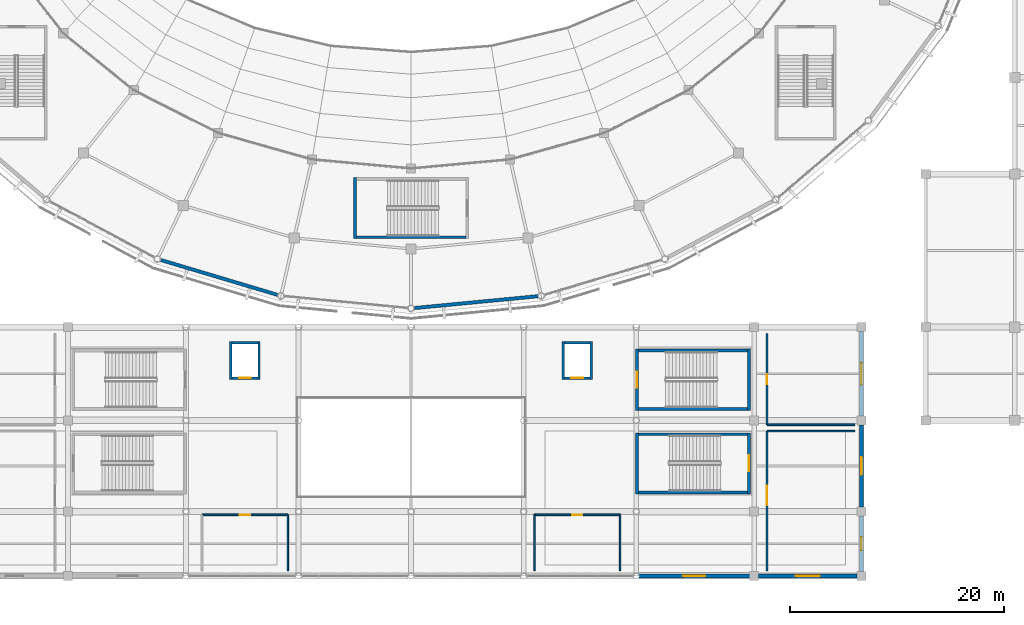
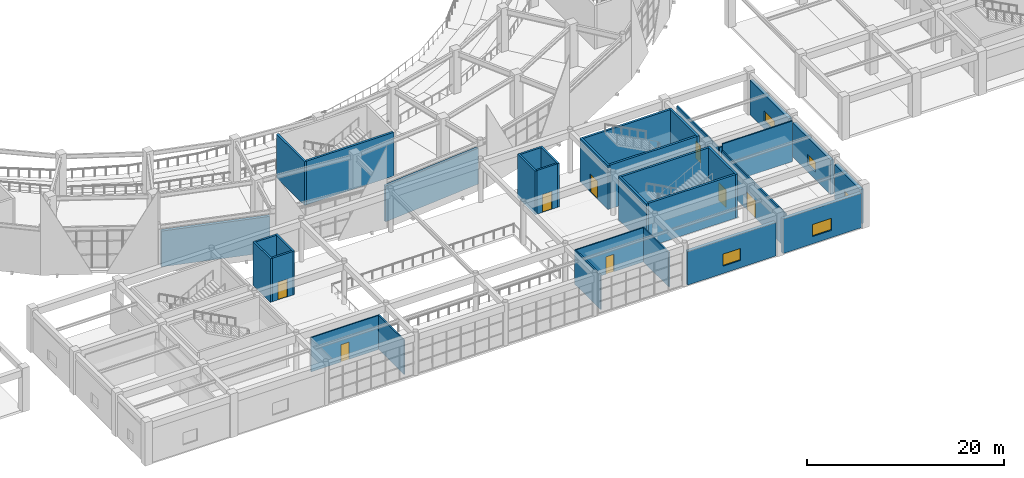
# One storey, part 75 of 120: 34 walls, 8 doors, 5 windows, 13 openings.
"""IFC4 building model written with IfcOpenShell, lengths in metres."""

from ifc_helpers import new_model, si_unit, direction, frame, frame_2d, origin, place, context, subcontext, project, spatial, rectangle, extrude, material, layer, layer_set, type_object, element, fill, save


model = new_model("IFC4")

# Units and contexts
model_context = context("Model", 3, precision=1e-05, world=origin(), true_north=direction((0.0, 1.0)))
body_context = subcontext(model_context, "Body", "Model", "MODEL_VIEW")
ifc_project = project(units=[si_unit("LENGTHUNIT", "METRE"), si_unit("AREAUNIT", "SQUARE_METRE"), si_unit("VOLUMEUNIT", "CUBIC_METRE"), si_unit("PLANEANGLEUNIT", "RADIAN"), si_unit("MASSUNIT", "GRAM", prefix="KILO")], contexts=[model_context])

# Site, building, storey
site_placement = place(None, origin())
site = spatial("IfcSite", under=ifc_project, at=site_placement, CompositionType="ELEMENT")
building_placement = place(site_placement, origin())
building = spatial("IfcBuilding", under=site, at=building_placement, Name="Cuetzalor Civic Arena", CompositionType="ELEMENT")
storey_placement = place(building_placement, frame((0.0, 0.0, 6.0)))
storey = spatial("IfcBuildingStorey", under=building, at=storey_placement, Name="L01", CompositionType="ELEMENT", Elevation=6.0)

# Wall
ifc_material_1 = material(Name="Acoustic steel-stud gypsum partition", Category="steel")
ifc_layer_1 = layer(ifc_material_1, 0.14990234375)
ifc_layer_set_1 = layer_set([ifc_layer_1], Name="Acoustic steel-stud gypsum partition")
wall_type_1 = type_object("IfcWallType", Name="AcousticGypsumPartition_150", PredefinedType="PARTITIONING", material=ifc_layer_set_1)
wall_1_placement = place(storey_placement, frame((33.199951171875, -58.0, 0.0), z_axis=(0.0, 0.0, 1.0), x_axis=(1.0, 0.0, 0.0)))
element("IfcWall", 1, at=wall_1_placement, inside=storey, type_object=wall_type_1, Name="Interior Partition IWALL:L01:0183", PredefinedType="PARTITIONING", context=body_context, shape_type="SweptSolid", body=[
    extrude(rectangle(XDim=8.199951171875, YDim=0.14990234375, at=frame_2d((4.10009765625, 0.0))), origin(), (0.0, 0.0, 1.0), 5.0400390625),
])

# Wall, opening, door
wall_2_placement = place(storey_placement, frame((33.199951171875, -71.0, 0.0), z_axis=(0.0, 0.0, 1.0), x_axis=(0.0, 1.0, 0.0)))
wall_2 = element("IfcWall", 2, at=wall_2_placement, inside=storey, type_object=wall_type_1, Name="Interior Partition IWALL:L01:0184", PredefinedType="PARTITIONING", context=body_context, shape_type="SweptSolid", body=[
    extrude(rectangle(XDim=13.0, YDim=0.14990234375, at=frame_2d((6.5, 0.0))), origin(), (0.0, 0.0, 1.0), 4.2451171875),
])
opening_1_placement = place(wall_2_placement, frame((6.10009765625, 0.0, 0.0)))
opening_1 = element("IfcOpeningElement", 3, at=opening_1_placement, cuts=wall_2, Name="Opening ID-06", PredefinedType="OPENING", context=body_context, shape_type="SweptSolid", body=[
    extrude(rectangle(XDim=1.800048828125, YDim=2.199951171875, at=frame_2d((0.89990234375, 1.10009765625))), frame((0.0, 0.0849609375, 0.0), z_axis=(0.0, -1.0, 0.0), x_axis=(1.0, 0.0, 0.0)), (0.0, 0.0, 1.0), 0.169921875),
])
ifc_material_2 = material(Name="Glazed bronze acoustic double door", Category="metal")
door_type_1 = type_object("IfcDoorType", Name="PublicDoubleDoor_1800x2200", OperationType="DOUBLE_DOOR_SINGLE_SWING", PredefinedType="DOOR", material=ifc_material_2)
door_1_placement = place(opening_1_placement, origin())
door_1 = element("IfcDoor", 4, at=door_1_placement, inside=storey, type_object=door_type_1, Name="Door to Civic Gallery East", OperationType="DOUBLE_DOOR_SINGLE_SWING", OverallHeight=2.199951171875, OverallWidth=1.800048828125, PredefinedType="DOOR", context=body_context, shape_type="SweptSolid", body=[
    extrude(rectangle(XDim=1.800048828125, YDim=2.199951171875, at=frame_2d((0.89990234375, 1.10009765625))), frame((0.0, 0.02490234375, 0.0), z_axis=(0.0, -1.0, 0.0), x_axis=(1.0, 0.0, 0.0)), (0.0, 0.0, 1.0), 0.050048828125),
])
fill(opening_1, door_1)

wall_3_placement = place(storey_placement, frame((-19.5, -65.800048828125, 0.0), z_axis=(0.0, 0.0, 1.0), x_axis=(1.0, 0.0, 0.0)))
wall_3 = element("IfcWall", 5, at=wall_3_placement, inside=storey, type_object=wall_type_1, Name="Interior Partition IWALL:L01:0187", PredefinedType="PARTITIONING", context=body_context, shape_type="SweptSolid", body=[
    extrude(rectangle(XDim=8.0, YDim=0.14990234375, at=frame_2d((4.0, 0.0))), origin(), (0.0, 0.0, 1.0), 4.2451171875),
])
opening_2_placement = place(wall_3_placement, frame((3.52490234375, 0.0, 0.0)))
opening_2 = element("IfcOpeningElement", 6, at=opening_2_placement, cuts=wall_3, Name="Opening ID-03", PredefinedType="OPENING", context=body_context, shape_type="SweptSolid", body=[
    extrude(rectangle(XDim=0.949951171875, YDim=2.14990234375, at=frame_2d((0.47509765625, 1.074951171875))), frame((0.0, 0.0849609375, 0.0), z_axis=(0.0, -1.0, 0.0), x_axis=(1.0, 0.0, 0.0)), (0.0, 0.0, 1.0), 0.169921875),
])
ifc_material_3 = material(Name="Painted steel frame and solid timber leaf", Category="steel")
door_type_2 = type_object("IfcDoorType", Name="InteriorSingleDoor_950x2150", OperationType="NOTDEFINED", PredefinedType="DOOR", material=ifc_material_3)
door_2_placement = place(opening_2_placement, origin())
door_2 = element("IfcDoor", 7, at=door_2_placement, inside=storey, type_object=door_type_2, Name="Door to First Aid Station L01", OperationType="SINGLE_SWING_LEFT", OverallHeight=2.14990234375, OverallWidth=0.949951171875, PredefinedType="DOOR", context=body_context, shape_type="SweptSolid", body=[
    extrude(rectangle(XDim=0.949951171875, YDim=2.14990234375, at=frame_2d((0.47509765625, 1.074951171875))), frame((0.0, 0.02490234375, 0.0), z_axis=(0.0, -1.0, 0.0), x_axis=(1.0, 0.0, 0.0)), (0.0, 0.0, 1.0), 0.050048828125),
])
fill(opening_2, door_2)

# Wall
wall_4_placement = place(storey_placement, frame((-11.5, -65.800048828125, 0.0), z_axis=(0.0, 0.0, 1.0), x_axis=(0.0, -1.0, 0.0)))
element("IfcWall", 8, at=wall_4_placement, inside=storey, type_object=wall_type_1, Name="Interior Partition IWALL:L01:0188", PredefinedType="PARTITIONING", context=body_context, shape_type="SweptSolid", body=[
    extrude(rectangle(XDim=5.199951171875, YDim=0.14990234375, at=frame_2d((2.60009765625, 0.0))), origin(), (0.0, 0.0, 1.0), 4.2451171875),
])

# Wall, opening, door
wall_5_placement = place(storey_placement, frame((11.5, -65.800048828125, 0.0), z_axis=(0.0, 0.0, 1.0), x_axis=(1.0, 0.0, 0.0)))
wall_5 = element("IfcWall", 9, at=wall_5_placement, inside=storey, type_object=wall_type_1, Name="Interior Partition IWALL:L01:0190", PredefinedType="PARTITIONING", context=body_context, shape_type="SweptSolid", body=[
    extrude(rectangle(XDim=8.0, YDim=0.14990234375, at=frame_2d((4.0, 0.0))), origin(), (0.0, 0.0, 1.0), 4.2451171875),
])
opening_3_placement = place(wall_5_placement, frame((3.52490234375, 0.0, 0.0)))
opening_3 = element("IfcOpeningElement", 10, at=opening_3_placement, cuts=wall_5, Name="Opening ID-03", PredefinedType="OPENING", context=body_context, shape_type="SweptSolid", body=[
    extrude(rectangle(XDim=0.949951171875, YDim=2.14990234375, at=frame_2d((0.47509765625, 1.074951171875))), frame((0.0, 0.0849609375, 0.0), z_axis=(0.0, -1.0, 0.0), x_axis=(1.0, 0.0, 0.0)), (0.0, 0.0, 1.0), 0.169921875),
])
door_3_placement = place(opening_3_placement, origin())
door_3 = element("IfcDoor", 11, at=door_3_placement, inside=storey, type_object=door_type_2, Name="Door to Public Restroom Foyer L01", OperationType="SINGLE_SWING_RIGHT", OverallHeight=2.14990234375, OverallWidth=0.949951171875, PredefinedType="DOOR", context=body_context, shape_type="SweptSolid", body=[
    extrude(rectangle(XDim=0.949951171875, YDim=2.14990234375, at=frame_2d((0.47509765625, 1.074951171875))), frame((0.0, 0.02490234375, 0.0), z_axis=(0.0, -1.0, 0.0), x_axis=(1.0, 0.0, 0.0)), (0.0, 0.0, 1.0), 0.050048828125),
])
fill(opening_3, door_3)

# Walls
for number, where, z_axis, x_axis, name in (
    (12, (19.5, -65.800048828125, 0.0), (0.0, 0.0, 1.0), (0.0, -1.0, 0.0), "Interior Partition IWALL:L01:0191"),
    (13, (11.5, -71.0, 0.0), (0.0, 0.0, 1.0), (0.0, 1.0, 0.0), "Interior Partition IWALL:L01:0192"),
):
    element("IfcWall", number, at=place(storey_placement, frame(where, z_axis=z_axis, x_axis=x_axis)), inside=storey, type_object=wall_type_1, Name=name, PredefinedType="PARTITIONING", context=body_context, shape_type="SweptSolid", body=[
        extrude(rectangle(XDim=5.199951171875, YDim=0.14990234375, at=frame_2d((2.60009765625, 0.0))), origin(), (0.0, 0.0, 1.0), 4.2451171875),
    ])
wall_6_placement = place(storey_placement, frame((41.39990234375, -57.39990234375, 0.0), z_axis=(0.0, 0.0, 1.0), x_axis=(-1.0, 0.0, 0.0)))
element("IfcWall", 14, at=wall_6_placement, inside=storey, type_object=wall_type_1, Name="Interior Partition IWALL:L01:0193", PredefinedType="PARTITIONING", context=body_context, shape_type="SweptSolid", body=[
    extrude(rectangle(XDim=8.199951171875, YDim=0.14990234375, at=frame_2d((4.10009765625, 0.0))), origin(), (0.0, 0.0, 1.0), 4.2451171875),
])

# Wall, opening, door
wall_7_placement = place(storey_placement, frame((33.199951171875, -57.39990234375, 0.0), z_axis=(0.0, 0.0, 1.0), x_axis=(0.0, 1.0, 0.0)))
wall_7 = element("IfcWall", 15, at=wall_7_placement, inside=storey, type_object=wall_type_1, Name="Interior Partition IWALL:L01:0194", PredefinedType="PARTITIONING", context=body_context, shape_type="SweptSolid", body=[
    extrude(rectangle(XDim=8.5, YDim=0.14990234375, at=frame_2d((4.25, 0.0))), origin(), (0.0, 0.0, 1.0), 4.2451171875),
])
opening_4_placement = place(wall_7_placement, frame((3.77490234375, 0.0, 0.0)))
opening_4 = element("IfcOpeningElement", 16, at=opening_4_placement, cuts=wall_7, Name="Opening ID-03", PredefinedType="OPENING", context=body_context, shape_type="SweptSolid", body=[
    extrude(rectangle(XDim=0.949951171875, YDim=2.14990234375, at=frame_2d((0.47509765625, 1.074951171875))), frame((0.0, 0.0849609375, 0.0), z_axis=(0.0, -1.0, 0.0), x_axis=(1.0, 0.0, 0.0)), (0.0, 0.0, 1.0), 0.169921875),
])
door_4_placement = place(opening_4_placement, origin())
door_4 = element("IfcDoor", 17, at=door_4_placement, inside=storey, type_object=door_type_2, Name="Door to Accessible WC Foyer L01", OperationType="SINGLE_SWING_LEFT", OverallHeight=2.14990234375, OverallWidth=0.949951171875, PredefinedType="DOOR", context=body_context, shape_type="SweptSolid", body=[
    extrude(rectangle(XDim=0.949951171875, YDim=2.14990234375, at=frame_2d((0.47509765625, 1.074951171875))), frame((0.0, 0.02490234375, 0.0), z_axis=(0.0, -1.0, 0.0), x_axis=(1.0, 0.0, 0.0)), (0.0, 0.0, 1.0), 0.050048828125),
])
fill(opening_4, door_4)

# Walls
ifc_material_4 = material(Name="Concrete C40/50", Category="concrete")
ifc_layer_2 = layer(ifc_material_4, 0.25)
ifc_layer_set_2 = layer_set([ifc_layer_2], Name="Concrete C40/50")
wall_type_2 = type_object("IfcWallType", Name="ConcreteCoreShearWall_250", PredefinedType="SHEAR", material=ifc_layer_set_2)
wall_8_placement = place(storey_placement, frame((-5.22509765625, -40.050048828125, 0.0), z_axis=(0.0, 0.0, 1.0), x_axis=(0.0, 1.0, 0.0)))
element("IfcWall", 18, at=wall_8_placement, inside=storey, type_object=wall_type_2, Name="Stair Core Shear Wall ST-07-L01-W", PredefinedType="SHEAR", context=body_context, shape_type="SweptSolid", body=[
    extrude(rectangle(XDim=5.699951171875, YDim=0.25, at=frame_2d((2.85009765625, 0.0))), origin(), (0.0, 0.0, 1.0), 5.39990234375),
])
wall_9_placement = place(storey_placement, frame((5.10009765625, -39.925048828125, 0.0), z_axis=(0.0, 0.0, 1.0), x_axis=(-1.0, 0.0, 0.0)))
element("IfcWall", 19, at=wall_9_placement, inside=storey, type_object=wall_type_2, Name="Stair Core Shear Wall ST-07-L01-S", PredefinedType="SHEAR", context=body_context, shape_type="SweptSolid", body=[
    extrude(rectangle(XDim=10.2001953125, YDim=0.25, at=frame_2d((5.10009765625, 0.0))), origin(), (0.0, 0.0, 1.0), 5.39990234375),
])

# Wall, opening, door
wall_10_placement = place(storey_placement, frame((21.074951171875, -56.050048828125, 0.0), z_axis=(0.0, 0.0, 1.0), x_axis=(0.0, 1.0, 0.0)))
wall_10 = element("IfcWall", 20, at=wall_10_placement, inside=storey, type_object=wall_type_2, Name="Stair Core Shear Wall ST-11-L01-W", PredefinedType="SHEAR", context=body_context, shape_type="SweptSolid", body=[
    extrude(rectangle(XDim=5.699951171875, YDim=0.25, at=frame_2d((2.85009765625, 0.0))), origin(), (0.0, 0.0, 1.0), 5.39990234375),
])
opening_5_placement = place(wall_10_placement, frame((2.10009765625, 0.0, 0.0)))
opening_5 = element("IfcOpeningElement", 21, at=opening_5_placement, cuts=wall_10, Name="Opening FD-03", PredefinedType="OPENING", context=body_context, shape_type="SweptSolid", body=[
    extrude(rectangle(XDim=1.5, YDim=2.199951171875, at=frame_2d((0.75, 1.10009765625))), frame((0.0, 0.135009765625, 0.0), z_axis=(0.0, -1.0, 0.0), x_axis=(1.0, 0.0, 0.0)), (0.0, 0.0, 1.0), 0.27001953125),
])
ifc_material_5 = material(Name="Fire-rated steel stair exit double door", Category="steel")
door_type_3 = type_object("IfcDoorType", Name="StairFireDoubleDoor_1500x2200", OperationType="DOUBLE_DOOR_SINGLE_SWING", PredefinedType="DOOR", material=ifc_material_5)
door_5_placement = place(opening_5_placement, origin())
door_5 = element("IfcDoor", 22, at=door_5_placement, inside=storey, type_object=door_type_3, Name="Fire Stair Door ST-11 L01", OperationType="DOUBLE_DOOR_SINGLE_SWING", OverallHeight=2.199951171875, OverallWidth=1.5, PredefinedType="DOOR", context=body_context, shape_type="SweptSolid", body=[
    extrude(rectangle(XDim=1.5, YDim=2.199951171875, at=frame_2d((0.75, 1.10009765625))), frame((0.0, 0.02490234375, 0.0), z_axis=(0.0, -1.0, 0.0), x_axis=(1.0, 0.0, 0.0)), (0.0, 0.0, 1.0), 0.050048828125),
])
fill(opening_5, door_5)

# Walls
wall_11_placement = place(storey_placement, frame((21.199951171875, -50.47509765625, 0.0), z_axis=(0.0, 0.0, 1.0), x_axis=(1.0, 0.0, 0.0)))
element("IfcWall", 23, at=wall_11_placement, inside=storey, type_object=wall_type_2, Name="Stair Core Shear Wall ST-11-L01-N", PredefinedType="SHEAR", context=body_context, shape_type="SweptSolid", body=[
    extrude(rectangle(XDim=10.199951171875, YDim=0.25, at=frame_2d((5.10009765625, 0.0))), origin(), (0.0, 0.0, 1.0), 5.39990234375),
])
wall_12_placement = place(storey_placement, frame((31.52490234375, -50.35009765625, 0.0), z_axis=(0.0, 0.0, 1.0), x_axis=(0.0, -1.0, 0.0)))
element("IfcWall", 24, at=wall_12_placement, inside=storey, type_object=wall_type_2, Name="Stair Core Shear Wall ST-11-L01-E", PredefinedType="SHEAR", context=body_context, shape_type="SweptSolid", body=[
    extrude(rectangle(XDim=5.699951171875, YDim=0.25, at=frame_2d((2.85009765625, 0.0))), origin(), (0.0, 0.0, 1.0), 5.39990234375),
])
wall_13_placement = place(storey_placement, frame((31.39990234375, -55.925048828125, 0.0), z_axis=(0.0, 0.0, 1.0), x_axis=(-1.0, 0.0, 0.0)))
element("IfcWall", 25, at=wall_13_placement, inside=storey, type_object=wall_type_2, Name="Stair Core Shear Wall ST-11-L01-S", PredefinedType="SHEAR", context=body_context, shape_type="SweptSolid", body=[
    extrude(rectangle(XDim=10.199951171875, YDim=0.25, at=frame_2d((5.10009765625, 0.0))), origin(), (0.0, 0.0, 1.0), 5.39990234375),
])
wall_14_placement = place(storey_placement, frame((21.074951171875, -63.85009765625, 0.0), z_axis=(0.0, 0.0, 1.0), x_axis=(0.0, 1.0, 0.0)))
element("IfcWall", 26, at=wall_14_placement, inside=storey, type_object=wall_type_2, Name="Stair Core Shear Wall ST-12-L01-W", PredefinedType="SHEAR", context=body_context, shape_type="SweptSolid", body=[
    extrude(rectangle(XDim=5.7001953125, YDim=0.25, at=frame_2d((2.85009765625, 0.0))), origin(), (0.0, 0.0, 1.0), 5.39990234375),
])
wall_15_placement = place(storey_placement, frame((21.199951171875, -58.27490234375, 0.0), z_axis=(0.0, 0.0, 1.0), x_axis=(1.0, 0.0, 0.0)))
element("IfcWall", 27, at=wall_15_placement, inside=storey, type_object=wall_type_2, Name="Stair Core Shear Wall ST-12-L01-N", PredefinedType="SHEAR", context=body_context, shape_type="SweptSolid", body=[
    extrude(rectangle(XDim=10.199951171875, YDim=0.25, at=frame_2d((5.10009765625, 0.0))), origin(), (0.0, 0.0, 1.0), 5.39990234375),
])

# Wall, opening, door
wall_16_placement = place(storey_placement, frame((31.52490234375, -58.14990234375, 0.0), z_axis=(0.0, 0.0, 1.0), x_axis=(0.0, -1.0, 0.0)))
wall_16 = element("IfcWall", 28, at=wall_16_placement, inside=storey, type_object=wall_type_2, Name="Stair Core Shear Wall ST-12-L01-E", PredefinedType="SHEAR", context=body_context, shape_type="SweptSolid", body=[
    extrude(rectangle(XDim=5.7001953125, YDim=0.25, at=frame_2d((2.85009765625, 0.0))), origin(), (0.0, 0.0, 1.0), 5.39990234375),
])
opening_6_placement = place(wall_16_placement, frame((2.10009765625, 0.0, 0.0)))
opening_6 = element("IfcOpeningElement", 29, at=opening_6_placement, cuts=wall_16, Name="Opening FD-03", PredefinedType="OPENING", context=body_context, shape_type="SweptSolid", body=[
    extrude(rectangle(XDim=1.5, YDim=2.199951171875, at=frame_2d((0.75, 1.10009765625))), frame((0.0, 0.135009765625, 0.0), z_axis=(0.0, -1.0, 0.0), x_axis=(1.0, 0.0, 0.0)), (0.0, 0.0, 1.0), 0.27001953125),
])
door_6_placement = place(opening_6_placement, origin())
door_6 = element("IfcDoor", 30, at=door_6_placement, inside=storey, type_object=door_type_3, Name="Fire Stair Door ST-12 L01", OperationType="DOUBLE_DOOR_SINGLE_SWING", OverallHeight=2.199951171875, OverallWidth=1.5, PredefinedType="DOOR", context=body_context, shape_type="SweptSolid", body=[
    extrude(rectangle(XDim=1.5, YDim=2.199951171875, at=frame_2d((0.75, 1.10009765625))), frame((0.0, 0.02490234375, 0.0), z_axis=(0.0, -1.0, 0.0), x_axis=(1.0, 0.0, 0.0)), (0.0, 0.0, 1.0), 0.050048828125),
])
fill(opening_6, door_6)

# Walls
wall_17_placement = place(storey_placement, frame((31.39990234375, -63.72509765625, 0.0), z_axis=(0.0, 0.0, 1.0), x_axis=(-1.0, 0.0, 0.0)))
element("IfcWall", 31, at=wall_17_placement, inside=storey, type_object=wall_type_2, Name="Stair Core Shear Wall ST-12-L01-S", PredefinedType="SHEAR", context=body_context, shape_type="SweptSolid", body=[
    extrude(rectangle(XDim=10.199951171875, YDim=0.25, at=frame_2d((5.10009765625, 0.0))), origin(), (0.0, 0.0, 1.0), 5.39990234375),
])
ifc_material_6 = material(Name="Precast concrete C40/50 insulated cladding", Category="concrete")
ifc_layer_3 = layer(ifc_material_6, 0.320068359375)
ifc_layer_set_3 = layer_set([ifc_layer_3], Name="Precast concrete C40/50 insulated cladding")
wall_type_3 = type_object("IfcWallType", Name="InsulatedPrecastWall_320", PredefinedType="SOLIDWALL", material=ifc_layer_set_3)
wall_18_placement = place(storey_placement, frame((-12.48486328125, -45.279541015625, 0.0), z_axis=(0.0, 0.0, 1.0), x_axis=(-0.958192076012, 0.286125751144, 0.0)))
element("IfcWall", 32, at=wall_18_placement, inside=storey, type_object=wall_type_3, Name="Drum Acoustic Backing Wall L01-020", PredefinedType="SOLIDWALL", context=body_context, shape_type="SweptSolid", body=[
    extrude(rectangle(XDim=11.31005859375, YDim=0.320068359375, at=frame_2d((5.655029296875, 0.0))), origin(), (0.0, 0.0, 1.0), 4.431884765625),
])
wall_19_placement = place(storey_placement, frame((11.8251953125, -45.4130859375, 0.0), z_axis=(0.0, 0.0, 1.0), x_axis=(-0.995408913067, -0.095713613383, 0.0)))
element("IfcWall", 33, at=wall_19_placement, inside=storey, type_object=wall_type_3, Name="Drum Acoustic Backing Wall L01-021", PredefinedType="SOLIDWALL", context=body_context, shape_type="SweptSolid", body=[
    extrude(rectangle(XDim=11.56494140625, YDim=0.320068359375, at=frame_2d((5.782470703125, 0.0))), origin(), (0.0, 0.0, 1.0), 4.431884765625),
])
ifc_material_7 = material(Name="Concrete C40/50", Category="concrete")
ifc_layer_4 = layer(ifc_material_7, 0.219970703125)
ifc_layer_set_4 = layer_set([ifc_layer_4], Name="Concrete C40/50")
wall_type_4 = type_object("IfcWallType", Name="LiftShaftShearWall_220", PredefinedType="SHEAR", material=ifc_layer_set_4)
wall_20_placement = place(storey_placement, frame((-16.81005859375, -53.169921875, 0.0), z_axis=(0.0, 0.0, 1.0), x_axis=(0.0, 1.0, 0.0)))
element("IfcWall", 34, at=wall_20_placement, inside=storey, type_object=wall_type_4, Name="Lift Shaft Wall LP-01-L01-W", PredefinedType="SHEAR", context=body_context, shape_type="SweptSolid", body=[
    extrude(rectangle(XDim=3.5400390625, YDim=0.219970703125, at=frame_2d((1.77001953125, 0.0))), origin(), (0.0, 0.0, 1.0), 5.39990234375),
])
wall_21_placement = place(storey_placement, frame((-16.699951171875, -49.739990234375, 0.0), z_axis=(0.0, 0.0, 1.0), x_axis=(1.0, 0.0, 0.0)))
element("IfcWall", 35, at=wall_21_placement, inside=storey, type_object=wall_type_4, Name="Lift Shaft Wall LP-01-L01-N", PredefinedType="SHEAR", context=body_context, shape_type="SweptSolid", body=[
    extrude(rectangle(XDim=2.39990234375, YDim=0.219970703125, at=frame_2d((1.199951171875, 0.0))), origin(), (0.0, 0.0, 1.0), 5.39990234375),
])
wall_22_placement = place(storey_placement, frame((-14.18994140625, -49.6298828125, 0.0), z_axis=(0.0, 0.0, 1.0), x_axis=(0.0, -1.0, 0.0)))
element("IfcWall", 36, at=wall_22_placement, inside=storey, type_object=wall_type_4, Name="Lift Shaft Wall LP-01-L01-E", PredefinedType="SHEAR", context=body_context, shape_type="SweptSolid", body=[
    extrude(rectangle(XDim=3.5400390625, YDim=0.219970703125, at=frame_2d((1.77001953125, 0.0))), origin(), (0.0, 0.0, 1.0), 5.39990234375),
])

# Wall, opening, door
wall_23_placement = place(storey_placement, frame((-14.300048828125, -53.06005859375, 0.0), z_axis=(0.0, 0.0, 1.0), x_axis=(-1.0, 0.0, 0.0)))
wall_23 = element("IfcWall", 37, at=wall_23_placement, inside=storey, type_object=wall_type_4, Name="Lift Shaft Wall LP-01-L01-S", PredefinedType="SHEAR", context=body_context, shape_type="SweptSolid", body=[
    extrude(rectangle(XDim=2.39990234375, YDim=0.219970703125, at=frame_2d((1.199951171875, 0.0))), origin(), (0.0, 0.0, 1.0), 5.39990234375),
])
opening_7_placement = place(wall_23_placement, frame((0.64990234375, 0.0, 0.0)))
opening_7 = element("IfcOpeningElement", 38, at=opening_7_placement, cuts=wall_23, Name="Opening LD-01", PredefinedType="OPENING", context=body_context, shape_type="SweptSolid", body=[
    extrude(rectangle(XDim=1.10009765625, YDim=2.199951171875, at=frame_2d((0.550048828125, 1.10009765625))), frame((0.0, 0.1201171875, 0.0), z_axis=(0.0, -1.0, 0.0), x_axis=(1.0, 0.0, 0.0)), (0.0, 0.0, 1.0), 0.239990234375),
])
ifc_material_8 = material(Name="Brushed stainless steel sliding lift landing door", Category="steel")
door_type_4 = type_object("IfcDoorType", Name="LiftLandingSlidingDoor_1100x2200", OperationType="SLIDING_TO_LEFT", PredefinedType="DOOR", material=ifc_material_8)
door_7_placement = place(opening_7_placement, origin())
door_7 = element("IfcDoor", 39, at=door_7_placement, inside=storey, type_object=door_type_4, Name="Lift Landing Sliding Door LP-01 L01", OperationType="SLIDING_TO_LEFT", OverallHeight=2.199951171875, OverallWidth=1.10009765625, PredefinedType="DOOR", context=body_context, shape_type="SweptSolid", body=[
    extrude(rectangle(XDim=1.10009765625, YDim=2.199951171875, at=frame_2d((0.550048828125, 1.10009765625))), frame((0.0, 0.02490234375, 0.0), z_axis=(0.0, -1.0, 0.0), x_axis=(1.0, 0.0, 0.0)), (0.0, 0.0, 1.0), 0.050048828125),
])
fill(opening_7, door_7)

# Walls
wall_24_placement = place(storey_placement, frame((14.18994140625, -53.169921875, 0.0), z_axis=(0.0, 0.0, 1.0), x_axis=(0.0, 1.0, 0.0)))
element("IfcWall", 40, at=wall_24_placement, inside=storey, type_object=wall_type_4, Name="Lift Shaft Wall LP-02-L01-W", PredefinedType="SHEAR", context=body_context, shape_type="SweptSolid", body=[
    extrude(rectangle(XDim=3.5400390625, YDim=0.219970703125, at=frame_2d((1.77001953125, 0.0))), origin(), (0.0, 0.0, 1.0), 5.39990234375),
])
wall_25_placement = place(storey_placement, frame((14.300048828125, -49.739990234375, 0.0), z_axis=(0.0, 0.0, 1.0), x_axis=(1.0, 0.0, 0.0)))
element("IfcWall", 41, at=wall_25_placement, inside=storey, type_object=wall_type_4, Name="Lift Shaft Wall LP-02-L01-N", PredefinedType="SHEAR", context=body_context, shape_type="SweptSolid", body=[
    extrude(rectangle(XDim=2.39990234375, YDim=0.219970703125, at=frame_2d((1.199951171875, 0.0))), origin(), (0.0, 0.0, 1.0), 5.39990234375),
])
wall_26_placement = place(storey_placement, frame((16.81005859375, -49.6298828125, 0.0), z_axis=(0.0, 0.0, 1.0), x_axis=(0.0, -1.0, 0.0)))
element("IfcWall", 42, at=wall_26_placement, inside=storey, type_object=wall_type_4, Name="Lift Shaft Wall LP-02-L01-E", PredefinedType="SHEAR", context=body_context, shape_type="SweptSolid", body=[
    extrude(rectangle(XDim=3.5400390625, YDim=0.219970703125, at=frame_2d((1.77001953125, 0.0))), origin(), (0.0, 0.0, 1.0), 5.39990234375),
])

# Wall, opening, door
wall_27_placement = place(storey_placement, frame((16.699951171875, -53.06005859375, 0.0), z_axis=(0.0, 0.0, 1.0), x_axis=(-1.0, 0.0, 0.0)))
wall_27 = element("IfcWall", 43, at=wall_27_placement, inside=storey, type_object=wall_type_4, Name="Lift Shaft Wall LP-02-L01-S", PredefinedType="SHEAR", context=body_context, shape_type="SweptSolid", body=[
    extrude(rectangle(XDim=2.39990234375, YDim=0.219970703125, at=frame_2d((1.199951171875, 0.0))), origin(), (0.0, 0.0, 1.0), 5.39990234375),
])
opening_8_placement = place(wall_27_placement, frame((0.64990234375, 0.0, 0.0)))
opening_8 = element("IfcOpeningElement", 44, at=opening_8_placement, cuts=wall_27, Name="Opening LD-01", PredefinedType="OPENING", context=body_context, shape_type="SweptSolid", body=[
    extrude(rectangle(XDim=1.10009765625, YDim=2.199951171875, at=frame_2d((0.550048828125, 1.10009765625))), frame((0.0, 0.1201171875, 0.0), z_axis=(0.0, -1.0, 0.0), x_axis=(1.0, 0.0, 0.0)), (0.0, 0.0, 1.0), 0.239990234375),
])
door_8_placement = place(opening_8_placement, origin())
door_8 = element("IfcDoor", 45, at=door_8_placement, inside=storey, type_object=door_type_4, Name="Lift Landing Sliding Door LP-02 L01", OperationType="SLIDING_TO_LEFT", OverallHeight=2.199951171875, OverallWidth=1.10009765625, PredefinedType="DOOR", context=body_context, shape_type="SweptSolid", body=[
    extrude(rectangle(XDim=1.10009765625, YDim=2.199951171875, at=frame_2d((0.550048828125, 1.10009765625))), frame((0.0, 0.02490234375, 0.0), z_axis=(0.0, -1.0, 0.0), x_axis=(1.0, 0.0, 0.0)), (0.0, 0.0, 1.0), 0.050048828125),
])
fill(opening_8, door_8)

# Wall, opening, window
ifc_material_9 = material(Name="Polychrome Talavera ceramic on Concrete C35/45", Category="concrete")
ifc_layer_5 = layer(ifc_material_9, 0.3798828125)
ifc_layer_set_5 = layer_set([ifc_layer_5], Name="Polychrome Talavera ceramic on Concrete C35/45")
wall_type_5 = type_object("IfcWallType", Name="TalaveraSpandrelWall_380", PredefinedType="SOLIDWALL", material=ifc_layer_set_5)
wall_28_placement = place(storey_placement, frame((42.0, -65.906982421875, 0.0), z_axis=(0.0, 0.0, 1.0), x_axis=(0.0, -1.0, 0.0)))
wall_28 = element("IfcWall", 46, at=wall_28_placement, inside=storey, type_object=wall_type_5, Name="South Foyer East End Wall L01-100", PredefinedType="SOLIDWALL", context=body_context, shape_type="SweptSolid", body=[
    extrude(rectangle(XDim=5.18603515625, YDim=0.3798828125, at=frame_2d((2.593017578125, 0.0))), origin(), (0.0, 0.0, 1.0), 4.260009765625),
])
opening_9_placement = place(wall_28_placement, frame((1.968017578125, 0.0, 0.949951171875)))
opening_9 = element("IfcOpeningElement", 47, at=opening_9_placement, cuts=wall_28, Name="Opening WN-02", PredefinedType="OPENING", context=body_context, shape_type="SweptSolid", body=[
    extrude(rectangle(XDim=1.25, YDim=1.25, at=frame_2d((0.625, 0.625))), frame((0.0, 0.199951171875, 0.0), z_axis=(0.0, -1.0, 0.0), x_axis=(1.0, 0.0, 0.0)), (0.0, 0.0, 1.0), 0.39990234375),
])
ifc_material_10 = material(Name="Anodised bronze aluminium and low-E solar glass", Category="aluminium")
window_type_1 = type_object("IfcWindowType", Name="BronzeThermalWindow_1250x1250", PartitioningType="SINGLE_PANEL", PredefinedType="WINDOW", material=ifc_material_10)
window_1_placement = place(opening_9_placement, origin())
window_1 = element("IfcWindow", 48, at=window_1_placement, inside=storey, type_object=window_type_1, Name="Foyer Window L01-0002", OverallHeight=1.25, OverallWidth=1.25, PartitioningType="SINGLE_PANEL", PredefinedType="WINDOW", context=body_context, shape_type="SweptSolid", body=[
    extrude(rectangle(XDim=1.25, YDim=1.25, at=frame_2d((0.625, 0.625))), frame((0.0, 0.030029296875, 0.0), z_axis=(0.0, -1.0, 0.0), x_axis=(1.0, 0.0, 0.0)), (0.0, 0.0, 1.0), 0.06005859375),
])
fill(opening_9, window_1)

wall_29_placement = place(storey_placement, frame((42.0, -57.406982421875, 0.0), z_axis=(0.0, 0.0, 1.0), x_axis=(0.0, -1.0, 0.0)))
wall_29 = element("IfcWall", 49, at=wall_29_placement, inside=storey, type_object=wall_type_5, Name="South Foyer East End Wall L01-102", PredefinedType="SOLIDWALL", context=body_context, shape_type="SweptSolid", body=[
    extrude(rectangle(XDim=7.68603515625, YDim=0.3798828125, at=frame_2d((3.843017578125, 0.0))), origin(), (0.0, 0.0, 1.0), 4.260009765625),
])
opening_10_placement = place(wall_29_placement, frame((3.01806640625, 0.0, 0.949951171875)))
opening_10 = element("IfcOpeningElement", 50, at=opening_10_placement, cuts=wall_29, Name="Opening WN-04", PredefinedType="OPENING", context=body_context, shape_type="SweptSolid", body=[
    extrude(rectangle(XDim=1.64990234375, YDim=1.25, at=frame_2d((0.824951171875, 0.625))), frame((0.0, 0.199951171875, 0.0), z_axis=(0.0, -1.0, 0.0), x_axis=(1.0, 0.0, 0.0)), (0.0, 0.0, 1.0), 0.39990234375),
])
ifc_material_11 = material(Name="Anodised bronze aluminium and low-E solar glass", Category="aluminium")
window_type_2 = type_object("IfcWindowType", Name="BronzeThermalWindow_1650x1250", PartitioningType="SINGLE_PANEL", PredefinedType="WINDOW", material=ifc_material_11)
window_2_placement = place(opening_10_placement, origin())
window_2 = element("IfcWindow", 51, at=window_2_placement, inside=storey, type_object=window_type_2, Name="Foyer Window L01-0004", OverallHeight=1.25, OverallWidth=1.64990234375, PartitioningType="SINGLE_PANEL", PredefinedType="WINDOW", context=body_context, shape_type="SweptSolid", body=[
    extrude(rectangle(XDim=1.64990234375, YDim=1.25, at=frame_2d((0.824951171875, 0.625))), frame((0.0, 0.030029296875, 0.0), z_axis=(0.0, -1.0, 0.0), x_axis=(1.0, 0.0, 0.0)), (0.0, 0.0, 1.0), 0.06005859375),
])
fill(opening_10, window_2)

wall_30_placement = place(storey_placement, frame((42.0, -48.70703125, 0.0), z_axis=(0.0, 0.0, 1.0), x_axis=(0.0, -1.0, 0.0)))
wall_30 = element("IfcWall", 52, at=wall_30_placement, inside=storey, type_object=wall_type_5, Name="South Foyer East End Wall L01-104", PredefinedType="SOLIDWALL", context=body_context, shape_type="SweptSolid", body=[
    extrude(rectangle(XDim=7.885986328125, YDim=0.3798828125, at=frame_2d((3.94287109375, 0.0))), origin(), (0.0, 0.0, 1.0), 4.260009765625),
])
opening_11_placement = place(wall_30_placement, frame((2.91796875, 0.0, 0.949951171875)))
opening_11 = element("IfcOpeningElement", 53, at=opening_11_placement, cuts=wall_30, Name="Opening WN-06", PredefinedType="OPENING", context=body_context, shape_type="SweptSolid", body=[
    extrude(rectangle(XDim=2.050048828125, YDim=1.25, at=frame_2d((1.02490234375, 0.625))), frame((0.0, 0.199951171875, 0.0), z_axis=(0.0, -1.0, 0.0), x_axis=(1.0, 0.0, 0.0)), (0.0, 0.0, 1.0), 0.39990234375),
])
ifc_material_12 = material(Name="Anodised bronze aluminium and low-E solar glass", Category="aluminium")
window_type_3 = type_object("IfcWindowType", Name="BronzeThermalWindow_2050x1250", PartitioningType="DOUBLE_PANEL_VERTICAL", PredefinedType="WINDOW", material=ifc_material_12)
window_3_placement = place(opening_11_placement, origin())
window_3 = element("IfcWindow", 54, at=window_3_placement, inside=storey, type_object=window_type_3, Name="Foyer Window L01-0006", OverallHeight=1.25, OverallWidth=2.050048828125, PartitioningType="SINGLE_PANEL", PredefinedType="WINDOW", context=body_context, shape_type="SweptSolid", body=[
    extrude(rectangle(XDim=2.050048828125, YDim=1.25, at=frame_2d((1.02490234375, 0.625))), frame((0.0, 0.030029296875, 0.0), z_axis=(0.0, -1.0, 0.0), x_axis=(1.0, 0.0, 0.0)), (0.0, 0.0, 1.0), 0.06005859375),
])
fill(opening_11, window_3)

wall_31_placement = place(storey_placement, frame((31.593017578125, -71.5, 0.0), z_axis=(0.0, 0.0, 1.0), x_axis=(-1.0, 0.0, 0.0)))
wall_31 = element("IfcWall", 55, at=wall_31_placement, inside=storey, type_object=wall_type_5, Name="South Talavera Facade Wall L01-113", PredefinedType="SOLIDWALL", context=body_context, shape_type="SweptSolid", body=[
    extrude(rectangle(XDim=10.33154296875, YDim=0.3798828125, at=frame_2d((5.165771484375, 0.0))), origin(), (0.0, 0.0, 1.0), 4.159912109375),
])
opening_12_placement = place(wall_31_placement, frame((4.140625, 0.0, 0.89990234375)))
opening_12 = element("IfcOpeningElement", 56, at=opening_12_placement, cuts=wall_31, Name="Opening WN-15", PredefinedType="OPENING", context=body_context, shape_type="SweptSolid", body=[
    extrude(rectangle(XDim=2.050048828125, YDim=1.5, at=frame_2d((1.02490234375, 0.75))), frame((0.0, 0.199951171875, 0.0), z_axis=(0.0, -1.0, 0.0), x_axis=(1.0, 0.0, 0.0)), (0.0, 0.0, 1.0), 0.39990234375),
])
ifc_material_13 = material(Name="Anodised bronze aluminium and low-E solar glass", Category="aluminium")
window_type_4 = type_object("IfcWindowType", Name="BronzeThermalWindow_2050x1500", PartitioningType="DOUBLE_PANEL_VERTICAL", PredefinedType="WINDOW", material=ifc_material_13)
window_4_placement = place(opening_12_placement, origin())
window_4 = element("IfcWindow", 57, at=window_4_placement, inside=storey, type_object=window_type_4, Name="Talavera Gallery Window L01-0015", OverallHeight=1.5, OverallWidth=2.050048828125, PartitioningType="SINGLE_PANEL", PredefinedType="WINDOW", context=body_context, shape_type="SweptSolid", body=[
    extrude(rectangle(XDim=2.050048828125, YDim=1.5, at=frame_2d((1.02490234375, 0.75))), frame((0.0, 0.030029296875, 0.0), z_axis=(0.0, -1.0, 0.0), x_axis=(1.0, 0.0, 0.0)), (0.0, 0.0, 1.0), 0.06005859375),
])
fill(opening_12, window_4)

wall_32_placement = place(storey_placement, frame((41.593017578125, -71.5, 0.0), z_axis=(0.0, 0.0, 1.0), x_axis=(-1.0, 0.0, 0.0)))
wall_32 = element("IfcWall", 58, at=wall_32_placement, inside=storey, type_object=wall_type_5, Name="South Talavera Facade Wall L01-114", PredefinedType="SOLIDWALL", context=body_context, shape_type="SweptSolid", body=[
    extrude(rectangle(XDim=9.18603515625, YDim=0.3798828125, at=frame_2d((4.593017578125, 0.0))), origin(), (0.0, 0.0, 1.0), 4.260009765625),
])
opening_13_placement = place(wall_32_placement, frame((3.468017578125, 0.0, 0.89990234375)))
opening_13 = element("IfcOpeningElement", 59, at=opening_13_placement, cuts=wall_32, Name="Opening WN-16", PredefinedType="OPENING", context=body_context, shape_type="SweptSolid", body=[
    extrude(rectangle(XDim=2.25, YDim=1.5, at=frame_2d((1.125, 0.75))), frame((0.0, 0.199951171875, 0.0), z_axis=(0.0, -1.0, 0.0), x_axis=(1.0, 0.0, 0.0)), (0.0, 0.0, 1.0), 0.39990234375),
])
ifc_material_14 = material(Name="Anodised bronze aluminium and low-E solar glass", Category="aluminium")
window_type_5 = type_object("IfcWindowType", Name="BronzeThermalWindow_2250x1500", PartitioningType="DOUBLE_PANEL_VERTICAL", PredefinedType="WINDOW", material=ifc_material_14)
window_5_placement = place(opening_13_placement, origin())
window_5 = element("IfcWindow", 60, at=window_5_placement, inside=storey, type_object=window_type_5, Name="Talavera Gallery Window L01-0016", OverallHeight=1.5, OverallWidth=2.25, PartitioningType="SINGLE_PANEL", PredefinedType="WINDOW", context=body_context, shape_type="SweptSolid", body=[
    extrude(rectangle(XDim=2.25, YDim=1.5, at=frame_2d((1.125, 0.75))), frame((0.0, 0.030029296875, 0.0), z_axis=(0.0, -1.0, 0.0), x_axis=(1.0, 0.0, 0.0)), (0.0, 0.0, 1.0), 0.06005859375),
])
fill(opening_13, window_5)

save(model, "model.ifc")
